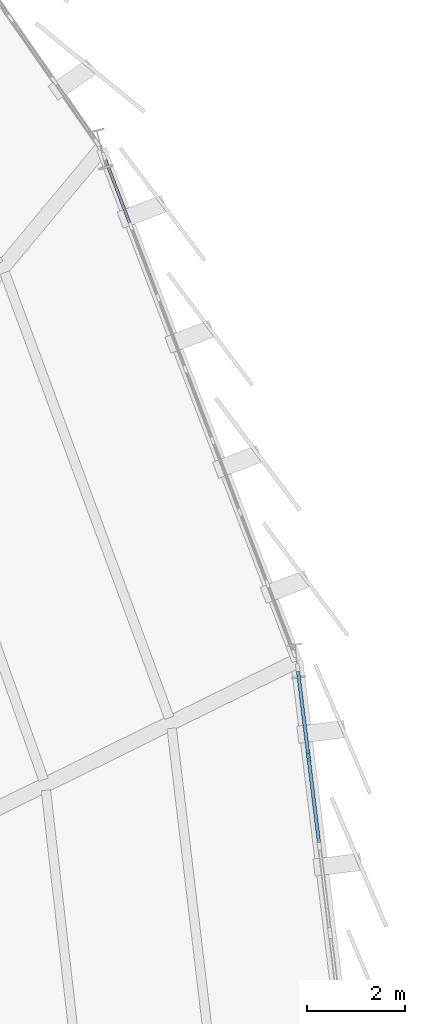
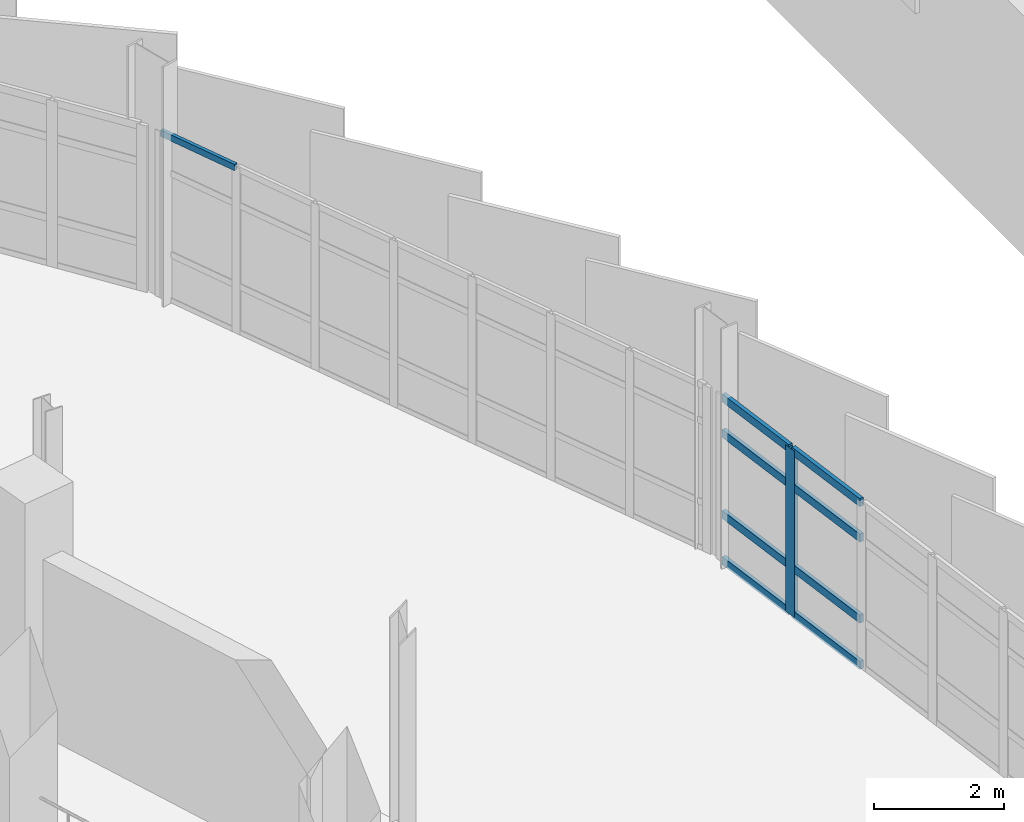
# One storey, part 75 of 134: 10 members, 2 elements without a shape of their own.
"""IFC4 building model written with IfcOpenShell, lengths in metres."""

from ifc_helpers import new_model, si_unit, direction, frame, origin, origin_2d, place, context, subcontext, project, spatial, rectangle, extrude, material, layer, layer_set, material_profile, profile_set, type_object, element, aggregate, save


model = new_model("IFC4")

# Units and contexts
model_context = context("Model", 3, precision=1e-05, world=origin(), true_north=direction((0.0, 1.0)))
body_context = subcontext(model_context, "Body", "Model", "MODEL_VIEW")
ifc_project = project(units=[si_unit("LENGTHUNIT", "METRE"), si_unit("AREAUNIT", "SQUARE_METRE"), si_unit("VOLUMEUNIT", "CUBIC_METRE"), si_unit("PLANEANGLEUNIT", "RADIAN"), si_unit("MASSUNIT", "GRAM", prefix="KILO")], contexts=[model_context])

# Site, building, storey
site_placement = place(None, origin())
site = spatial("IfcSite", under=ifc_project, at=site_placement, CompositionType="ELEMENT")
building_placement = place(site_placement, origin())
building = spatial("IfcBuilding", under=site, at=building_placement, Name="Sohan Crest Arena", CompositionType="ELEMENT")
storey_placement = place(building_placement, frame((0.0, 0.0, 4.5)))
storey = spatial("IfcBuildingStorey", under=building, at=storey_placement, Name="L01", CompositionType="ELEMENT", Elevation=4.5)

# Curtain wall, member
ifc_material = material(Name="Thermally broken anodised aluminium", Category="aluminium")
ifc_layer_1 = layer(ifc_material, 0.2099609375, Name="Thermally broken anodised aluminium")
ifc_layer_set_1 = layer_set([ifc_layer_1], Name="Thermally broken anodised aluminium")
curtain_wall_type_1 = type_object("IfcCurtainWallType", Name="ARC-CW06", PredefinedType="NOTDEFINED", material=ifc_layer_set_1)
curtain_wall_1_placement = place(storey_placement, origin())
curtain_wall_1 = element("IfcCurtainWall", 1, at=curtain_wall_1_placement, inside=storey, type_object=curtain_wall_type_1, Name="Unitised curtain wall CW-039", PredefinedType="NOTDEFINED")
ifc_material_profile_1 = material_profile(ifc_material, rectangle(XDim=0.074951171875, YDim=0.219970703125, at=origin_2d()), Name="ALU-MULL 75x220")
ifc_profile_set_1 = profile_set([ifc_material_profile_1], Name="Thermally broken anodised aluminium")
member_type_1 = type_object("IfcMemberType", Name="ARC-CW-ML04", PredefinedType="MULLION", material=ifc_profile_set_1)
member_1_placement = place(storey_placement, frame((186.9609375, 87.138916015625, 0.0), z_axis=(0.0, 0.0, 1.0), x_axis=(-0.992629724266, -0.121186758784, 0.0)))
member_1 = element("IfcMember", 2, at=member_1_placement, type_object=member_type_1, Name="CW-039 mullion 6", PredefinedType="MULLION", context=body_context, shape_type="SweptSolid", body=[
    extrude(rectangle(XDim=0.074951171875, YDim=0.219970703125, at=origin_2d()), origin(), (0.0, 0.0, 1.0), 3.1201171875),
])

ifc_layer_2 = layer(ifc_material, 0.179931640625, Name="Thermally broken anodised aluminium")
ifc_layer_set_2 = layer_set([ifc_layer_2], Name="Thermally broken anodised aluminium")
curtain_wall_type_2 = type_object("IfcCurtainWallType", Name="ARC-CW01", PredefinedType="NOTDEFINED", material=ifc_layer_set_2)
curtain_wall_2_placement = place(storey_placement, origin())
curtain_wall_2 = element("IfcCurtainWall", 3, at=curtain_wall_2_placement, inside=storey, type_object=curtain_wall_type_2, Name="Unitised curtain wall CW-040", PredefinedType="NOTDEFINED")
ifc_material_profile_2 = material_profile(ifc_material, rectangle(XDim=0.06005859375, YDim=0.1201171875, at=origin_2d()), Name="ALU-TRAN 60x120")
ifc_profile_set_2 = profile_set([ifc_material_profile_2], Name="Thermally broken anodised aluminium")
member_type_2 = type_object("IfcMemberType", Name="ARC-CW-TR01", PredefinedType="USERDEFINED", material=ifc_profile_set_2)
member_2_placement = place(storey_placement, frame((183.339111328125, 97.942138671875, 3.090087890625), z_axis=(-0.356500744543, 0.934295038594, 0.0), x_axis=(-0.934295038594, -0.356500744543, 0.0)))
member_2 = element("IfcMember", 4, at=member_2_placement, type_object=member_type_2, Name="CW-040 transom 7.4", ObjectType="TRANSOM", PredefinedType="USERDEFINED", context=body_context, shape_type="SweptSolid", body=[
    extrude(rectangle(XDim=0.06005859375, YDim=0.1201171875, at=origin_2d()), origin(), (0.0, 0.0, 1.0), 1.46630859375),
])
aggregate(curtain_wall_2, [member_2])

# Member
ifc_material_profile_3 = material_profile(ifc_material, rectangle(XDim=0.070068359375, YDim=0.14990234375, at=origin_2d()), Name="ALU-TRAN 70x150")
ifc_profile_set_3 = profile_set([ifc_material_profile_3], Name="Thermally broken anodised aluminium")
member_type_3 = type_object("IfcMemberType", Name="ARC-CW-TR03", PredefinedType="USERDEFINED", material=ifc_profile_set_3)
member_3_placement = place(storey_placement, frame((187.176513671875, 85.374267578125, 0.034912109375), z_axis=(-0.121202713219, 0.992627776313, 0.0), x_axis=(-0.992627776313, -0.121202713219, 0.0)))
member_3 = element("IfcMember", 5, at=member_3_placement, type_object=member_type_3, Name="CW-039 transom 5.1", ObjectType="TRANSOM", PredefinedType="USERDEFINED", context=body_context, shape_type="SweptSolid", body=[
    extrude(rectangle(XDim=0.070068359375, YDim=0.14990234375, at=origin_2d()), origin(), (0.0, 0.0, 1.0), 1.740478515625),
])

member_4_placement = place(storey_placement, frame((187.176513671875, 85.374267578125, 0.89990234375), z_axis=(-0.121202713219, 0.992627776313, 0.0), x_axis=(-0.992627776313, -0.121202713219, 0.0)))
member_4 = element("IfcMember", 6, at=member_4_placement, type_object=member_type_3, Name="CW-039 transom 5.2", ObjectType="TRANSOM", PredefinedType="USERDEFINED", context=body_context, shape_type="SweptSolid", body=[
    extrude(rectangle(XDim=0.070068359375, YDim=0.14990234375, at=origin_2d()), origin(), (0.0, 0.0, 1.0), 1.740478515625),
])

member_5_placement = place(storey_placement, frame((187.176513671875, 85.374267578125, 2.419921875), z_axis=(-0.121202713219, 0.992627776313, 0.0), x_axis=(-0.992627776313, -0.121202713219, 0.0)))
member_5 = element("IfcMember", 7, at=member_5_placement, type_object=member_type_3, Name="CW-039 transom 5.3", ObjectType="TRANSOM", PredefinedType="USERDEFINED", context=body_context, shape_type="SweptSolid", body=[
    extrude(rectangle(XDim=0.070068359375, YDim=0.14990234375, at=origin_2d()), origin(), (0.0, 0.0, 1.0), 1.740478515625),
])

member_6_placement = place(storey_placement, frame((187.176513671875, 85.374267578125, 3.0849609375), z_axis=(-0.121202713219, 0.992627776313, 0.0), x_axis=(-0.992627776313, -0.121202713219, 0.0)))
member_6 = element("IfcMember", 8, at=member_6_placement, type_object=member_type_3, Name="CW-039 transom 5.4", ObjectType="TRANSOM", PredefinedType="USERDEFINED", context=body_context, shape_type="SweptSolid", body=[
    extrude(rectangle(XDim=0.070068359375, YDim=0.14990234375, at=origin_2d()), origin(), (0.0, 0.0, 1.0), 1.740478515625),
])

member_7_placement = place(storey_placement, frame((186.95654296875, 87.17626953125, 0.034912109375), z_axis=(-0.121299024397, 0.992616011699, 0.0), x_axis=(-0.992616011699, -0.121299024397, 0.0)))
member_7 = element("IfcMember", 9, at=member_7_placement, type_object=member_type_3, Name="CW-039 transom 6.1", ObjectType="TRANSOM", PredefinedType="USERDEFINED", context=body_context, shape_type="SweptSolid", body=[
    extrude(rectangle(XDim=0.070068359375, YDim=0.14990234375, at=origin_2d()), origin(), (0.0, 0.0, 1.0), 1.70263671875),
])

member_8_placement = place(storey_placement, frame((186.95654296875, 87.17626953125, 0.89990234375), z_axis=(-0.121299024397, 0.992616011699, 0.0), x_axis=(-0.992616011699, -0.121299024397, 0.0)))
member_8 = element("IfcMember", 10, at=member_8_placement, type_object=member_type_3, Name="CW-039 transom 6.2", ObjectType="TRANSOM", PredefinedType="USERDEFINED", context=body_context, shape_type="SweptSolid", body=[
    extrude(rectangle(XDim=0.070068359375, YDim=0.14990234375, at=origin_2d()), origin(), (0.0, 0.0, 1.0), 1.70263671875),
])

member_9_placement = place(storey_placement, frame((186.95654296875, 87.17626953125, 2.419921875), z_axis=(-0.121299024397, 0.992616011699, 0.0), x_axis=(-0.992616011699, -0.121299024397, 0.0)))
member_9 = element("IfcMember", 11, at=member_9_placement, type_object=member_type_3, Name="CW-039 transom 6.3", ObjectType="TRANSOM", PredefinedType="USERDEFINED", context=body_context, shape_type="SweptSolid", body=[
    extrude(rectangle(XDim=0.070068359375, YDim=0.14990234375, at=origin_2d()), origin(), (0.0, 0.0, 1.0), 1.70263671875),
])

member_10_placement = place(storey_placement, frame((186.95654296875, 87.17626953125, 3.0849609375), z_axis=(-0.121299024397, 0.992616011699, 0.0), x_axis=(-0.992616011699, -0.121299024397, 0.0)))
member_10 = element("IfcMember", 12, at=member_10_placement, type_object=member_type_3, Name="CW-039 transom 6.4", ObjectType="TRANSOM", PredefinedType="USERDEFINED", context=body_context, shape_type="SweptSolid", body=[
    extrude(rectangle(XDim=0.070068359375, YDim=0.14990234375, at=origin_2d()), origin(), (0.0, 0.0, 1.0), 1.70263671875),
])

aggregate(curtain_wall_1, [member_1, member_3, member_4, member_5, member_6, member_7, member_8, member_9, member_10])

save(model, "model.ifc")
